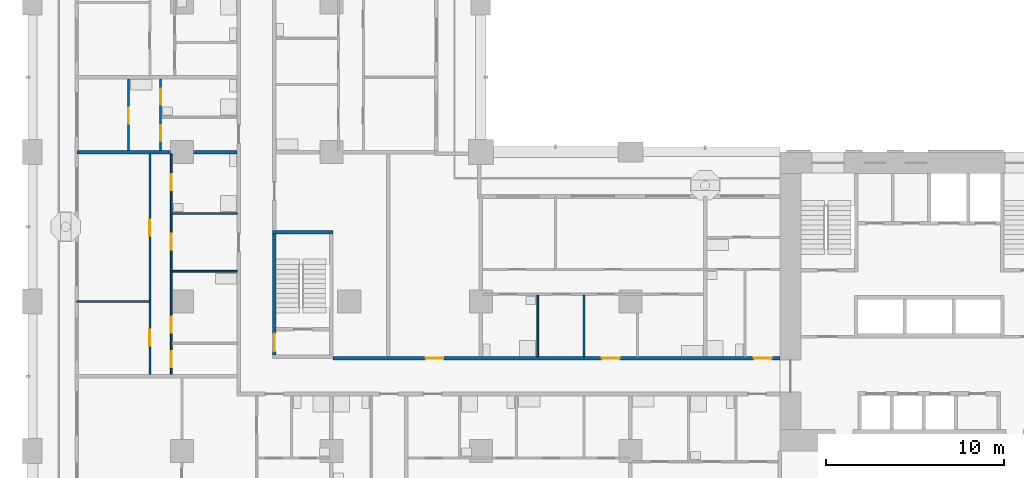
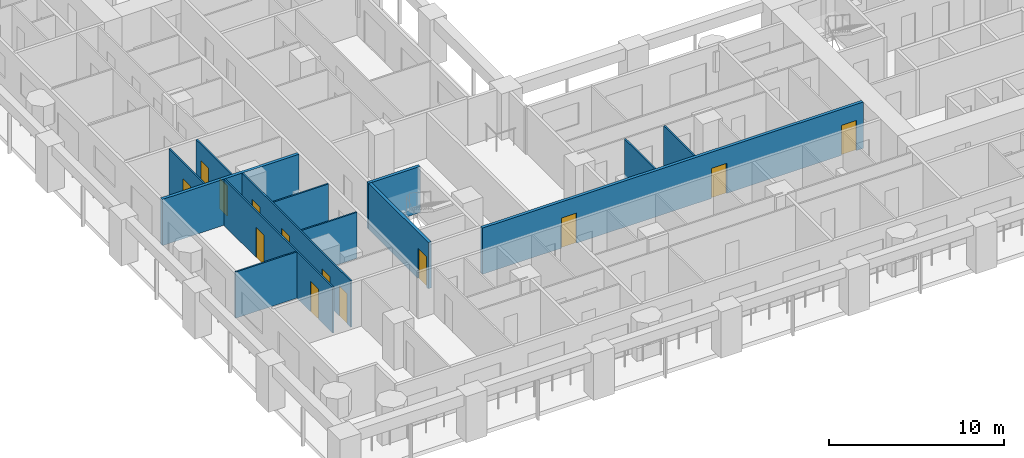
# One storey, part 3 of 21: 13 doors, 13 walls, 13 openings.
"""IFC4 building model written with IfcOpenShell, lengths in metres."""

from ifc_helpers import new_model, si_unit, direction, frame, frame_2d, origin, place, context, subcontext, project, spatial, rectangle, extrude, material, layer, layer_set, type_object, element, fill, save


model = new_model("IFC4")

# Units and contexts
model_context = context("Model", 3, precision=1e-05, world=origin(), true_north=direction((0.0, 1.0)))
body_context = subcontext(model_context, "Body", "Model", "MODEL_VIEW")
ifc_project = project(units=[si_unit("LENGTHUNIT", "METRE"), si_unit("AREAUNIT", "SQUARE_METRE"), si_unit("VOLUMEUNIT", "CUBIC_METRE"), si_unit("PLANEANGLEUNIT", "RADIAN"), si_unit("MASSUNIT", "GRAM", prefix="KILO")], contexts=[model_context])

# Site, building, storey
site_placement = place(None, origin())
site = spatial("IfcSite", under=ifc_project, at=site_placement, CompositionType="ELEMENT")
building_placement = place(site_placement, origin())
building = spatial("IfcBuilding", under=site, at=building_placement, Name="Vermilion Gate Residences", CompositionType="ELEMENT")
storey_placement = place(building_placement, frame((0.0, 0.0, 67.199951171875)))
storey = spatial("IfcBuildingStorey", under=building, at=storey_placement, Name="L16", CompositionType="ELEMENT", Elevation=67.199951171875)

# Walls
ifc_material_1 = material(Name="Plasterboard on steel studs", Category="steel")
ifc_layer_1 = layer(ifc_material_1, 0.10009765625)
ifc_layer_set_1 = layer_set([ifc_layer_1], Name="PARTITION 100")
wall_type_1 = type_object("IfcWallType", Name="PARTITION 100", PredefinedType="PARTITIONING", material=ifc_layer_set_1)
wall_1_placement = place(storey_placement, frame((2.5, 16.800048828125, 0.0), z_axis=(0.0, 0.0, 1.0), x_axis=(1.0, 0.0, 0.0)))
element("IfcWall", 1, at=wall_1_placement, inside=storey, type_object=wall_type_1, Name="Partition", PredefinedType="PARTITIONING", context=body_context, shape_type="SweptSolid", body=[
    extrude(rectangle(XDim=4.050048828125, YDim=0.10009765625, at=frame_2d((2.02490234375, 0.0))), origin(), (0.0, 0.0, 1.0), 3.219970703125),
])
for number, where, z_axis, x_axis, name in (
    (2, (7.85009765625, 18.5, 0.0), (0.0, 0.0, 1.0), (1.0, 0.0, 0.0), "Partition"),
    (3, (7.85009765625, 21.75, 0.0), (0.0, 0.0, 1.0), (1.0, 0.0, 0.0), "Partition"),
):
    element("IfcWall", number, at=place(storey_placement, frame(where, z_axis=z_axis, x_axis=x_axis)), inside=storey, type_object=wall_type_1, Name=name, PredefinedType="PARTITIONING", context=body_context, shape_type="SweptSolid", body=[
        extrude(rectangle(XDim=3.64990234375, YDim=0.10009765625, at=frame_2d((1.824951171875, 0.0))), origin(), (0.0, 0.0, 1.0), 3.219970703125),
    ])

# Wall, opening, door
wall_2_placement = place(storey_placement, frame((5.39990234375, 25.300048828125, 0.0), z_axis=(0.0, 0.0, 1.0), x_axis=(0.0, 1.0, 0.0)))
wall_2 = element("IfcWall", 4, at=wall_2_placement, inside=storey, type_object=wall_type_1, Name="Partition", PredefinedType="PARTITIONING", context=body_context, shape_type="SweptSolid", body=[
    extrude(rectangle(XDim=4.0, YDim=0.10009765625, at=frame_2d((2.0, 0.0))), origin(), (0.0, 0.0, 1.0), 3.219970703125),
])
opening_1_placement = place(wall_2_placement, frame((1.5, 0.0, 0.0)))
opening_1 = element("IfcOpeningElement", 5, at=opening_1_placement, cuts=wall_2, Name="Opening DA16045", PredefinedType="OPENING", context=body_context, shape_type="SweptSolid", body=[
    extrude(rectangle(XDim=0.89990234375, YDim=2.10009765625, at=frame_2d((0.449951171875, 1.050048828125))), frame((0.0, 0.06005859375, 0.0), z_axis=(0.0, -1.0, 0.0), x_axis=(1.0, 0.0, 0.0)), (0.0, 0.0, 1.0), 0.1201171875),
])
ifc_material_2 = material(Name="Timber", Category="wood")
door_type_1 = type_object("IfcDoorType", Name="INTERIOR DOOR 900 X 2100", OperationType="SINGLE_SWING_LEFT", PredefinedType="DOOR", material=ifc_material_2)
door_1_placement = place(opening_1_placement, frame((0.89990234375, 0.0, 0.0), z_axis=(0.0, 0.0, 1.0), x_axis=(-1.0, 0.0, 0.0)))
door_1 = element("IfcDoor", 6, at=door_1_placement, inside=storey, type_object=door_type_1, Name="Interior door", OperationType="SINGLE_SWING_LEFT", OverallHeight=2.10009765625, OverallWidth=0.89990234375, PredefinedType="DOOR", context=body_context, shape_type="SweptSolid", body=[
    extrude(rectangle(XDim=0.89990234375, YDim=2.10009765625, at=frame_2d((0.449951171875, 1.050048828125))), frame((0.0, 0.02490234375, 0.0), z_axis=(0.0, -1.0, 0.0), x_axis=(1.0, 0.0, 0.0)), (0.0, 0.0, 1.0), 0.050048828125),
])
fill(opening_1, door_1)

# Wall, openings, doors
wall_3_placement = place(storey_placement, frame((6.60009765625, 12.699951171875, 0.0), z_axis=(0.0, 0.0, 1.0), x_axis=(0.0, 1.0, 0.0)))
wall_3 = element("IfcWall", 7, at=wall_3_placement, inside=storey, type_object=wall_type_1, Name="Partition", PredefinedType="PARTITIONING", context=body_context, shape_type="SweptSolid", body=[
    extrude(rectangle(XDim=12.400146484375, YDim=0.10009765625, at=frame_2d((6.2001953125, 0.0))), origin(), (0.0, 0.0, 1.0), 3.219970703125),
])
opening_2_placement = place(wall_3_placement, frame((1.60009765625, 0.0, 0.0)))
opening_2 = element("IfcOpeningElement", 8, at=opening_2_placement, cuts=wall_3, Name="Opening DA16048", PredefinedType="OPENING", context=body_context, shape_type="SweptSolid", body=[
    extrude(rectangle(XDim=0.89990234375, YDim=2.10009765625, at=frame_2d((0.449951171875, 1.050048828125))), frame((0.0, 0.06005859375, 0.0), z_axis=(0.0, -1.0, 0.0), x_axis=(1.0, 0.0, 0.0)), (0.0, 0.0, 1.0), 0.1201171875),
])
opening_3_placement = place(wall_3_placement, frame((7.800048828125, 0.0, 0.0)))
opening_3 = element("IfcOpeningElement", 9, at=opening_3_placement, cuts=wall_3, Name="Opening DA16049", PredefinedType="OPENING", context=body_context, shape_type="SweptSolid", body=[
    extrude(rectangle(XDim=0.89990234375, YDim=2.10009765625, at=frame_2d((0.449951171875, 1.050048828125))), frame((0.0, 0.06005859375, 0.0), z_axis=(0.0, -1.0, 0.0), x_axis=(1.0, 0.0, 0.0)), (0.0, 0.0, 1.0), 0.1201171875),
])
door_2_placement = place(opening_2_placement, origin())
door_2 = element("IfcDoor", 10, at=door_2_placement, inside=storey, type_object=door_type_1, Name="Interior door", OperationType="SINGLE_SWING_RIGHT", OverallHeight=2.10009765625, OverallWidth=0.89990234375, PredefinedType="DOOR", context=body_context, shape_type="SweptSolid", body=[
    extrude(rectangle(XDim=0.89990234375, YDim=2.10009765625, at=frame_2d((0.449951171875, 1.050048828125))), frame((0.0, 0.02490234375, 0.0), z_axis=(0.0, -1.0, 0.0), x_axis=(1.0, 0.0, 0.0)), (0.0, 0.0, 1.0), 0.050048828125),
])
fill(opening_2, door_2)
door_3_placement = place(opening_3_placement, origin())
door_3 = element("IfcDoor", 11, at=door_3_placement, inside=storey, type_object=door_type_1, Name="Interior door", OperationType="SINGLE_SWING_LEFT", OverallHeight=2.10009765625, OverallWidth=0.89990234375, PredefinedType="DOOR", context=body_context, shape_type="SweptSolid", body=[
    extrude(rectangle(XDim=0.89990234375, YDim=2.10009765625, at=frame_2d((0.449951171875, 1.050048828125))), frame((0.0, 0.02490234375, 0.0), z_axis=(0.0, -1.0, 0.0), x_axis=(1.0, 0.0, 0.0)), (0.0, 0.0, 1.0), 0.050048828125),
])
fill(opening_3, door_3)

wall_4_placement = place(storey_placement, frame((7.199951171875, 25.300048828125, 0.0), z_axis=(0.0, 0.0, 1.0), x_axis=(0.0, 1.0, 0.0)))
wall_4 = element("IfcWall", 12, at=wall_4_placement, inside=storey, type_object=wall_type_1, Name="Partition", PredefinedType="PARTITIONING", context=body_context, shape_type="SweptSolid", body=[
    extrude(rectangle(XDim=4.0, YDim=0.10009765625, at=frame_2d((2.0, 0.0))), origin(), (0.0, 0.0, 1.0), 3.219970703125),
])
opening_4_placement = place(wall_4_placement, frame((0.5, 0.0, 0.0)))
opening_4 = element("IfcOpeningElement", 13, at=opening_4_placement, cuts=wall_4, Name="Opening DA16053", PredefinedType="OPENING", context=body_context, shape_type="SweptSolid", body=[
    extrude(rectangle(XDim=0.89990234375, YDim=2.10009765625, at=frame_2d((0.449951171875, 1.050048828125))), frame((0.0, 0.06005859375, 0.0), z_axis=(0.0, -1.0, 0.0), x_axis=(1.0, 0.0, 0.0)), (0.0, 0.0, 1.0), 0.1201171875),
])
opening_5_placement = place(wall_4_placement, frame((2.56005859375, 0.0, 0.0)))
opening_5 = element("IfcOpeningElement", 14, at=opening_5_placement, cuts=wall_4, Name="Opening DA16054", PredefinedType="OPENING", context=body_context, shape_type="SweptSolid", body=[
    extrude(rectangle(XDim=0.89990234375, YDim=2.10009765625, at=frame_2d((0.449951171875, 1.050048828125))), frame((0.0, 0.06005859375, 0.0), z_axis=(0.0, -1.0, 0.0), x_axis=(1.0, 0.0, 0.0)), (0.0, 0.0, 1.0), 0.1201171875),
])
door_4_placement = place(opening_4_placement, origin())
door_4 = element("IfcDoor", 15, at=door_4_placement, inside=storey, type_object=door_type_1, Name="Interior door", OperationType="SINGLE_SWING_LEFT", OverallHeight=2.10009765625, OverallWidth=0.89990234375, PredefinedType="DOOR", context=body_context, shape_type="SweptSolid", body=[
    extrude(rectangle(XDim=0.89990234375, YDim=2.10009765625, at=frame_2d((0.449951171875, 1.050048828125))), frame((0.0, 0.02490234375, 0.0), z_axis=(0.0, -1.0, 0.0), x_axis=(1.0, 0.0, 0.0)), (0.0, 0.0, 1.0), 0.050048828125),
])
fill(opening_4, door_4)
door_5_placement = place(opening_5_placement, origin())
door_5 = element("IfcDoor", 16, at=door_5_placement, inside=storey, type_object=door_type_1, Name="Interior door", OperationType="SINGLE_SWING_LEFT", OverallHeight=2.10009765625, OverallWidth=0.89990234375, PredefinedType="DOOR", context=body_context, shape_type="SweptSolid", body=[
    extrude(rectangle(XDim=0.89990234375, YDim=2.10009765625, at=frame_2d((0.449951171875, 1.050048828125))), frame((0.0, 0.02490234375, 0.0), z_axis=(0.0, -1.0, 0.0), x_axis=(1.0, 0.0, 0.0)), (0.0, 0.0, 1.0), 0.050048828125),
])
fill(opening_5, door_5)

wall_5_placement = place(storey_placement, frame((7.800048828125, 12.699951171875, 0.0), z_axis=(0.0, 0.0, 1.0), x_axis=(0.0, 1.0, 0.0)))
wall_5 = element("IfcWall", 17, at=wall_5_placement, inside=storey, type_object=wall_type_1, Name="Partition", PredefinedType="PARTITIONING", context=body_context, shape_type="SweptSolid", body=[
    extrude(rectangle(XDim=12.400146484375, YDim=0.10009765625, at=frame_2d((6.2001953125, 0.0))), origin(), (0.0, 0.0, 1.0), 3.219970703125),
])
opening_6_placement = place(wall_5_placement, frame((7.0, 0.0, 0.0)))
opening_6 = element("IfcOpeningElement", 18, at=opening_6_placement, cuts=wall_5, Name="Opening DA16055", PredefinedType="OPENING", context=body_context, shape_type="SweptSolid", body=[
    extrude(rectangle(XDim=0.89990234375, YDim=2.10009765625, at=frame_2d((0.449951171875, 1.050048828125))), frame((0.0, 0.06005859375, 0.0), z_axis=(0.0, -1.0, 0.0), x_axis=(1.0, 0.0, 0.0)), (0.0, 0.0, 1.0), 0.1201171875),
])
opening_7_placement = place(wall_5_placement, frame((0.39990234375, 0.0, 0.0)))
opening_7 = element("IfcOpeningElement", 19, at=opening_7_placement, cuts=wall_5, Name="Opening DA16056", PredefinedType="OPENING", context=body_context, shape_type="SweptSolid", body=[
    extrude(rectangle(XDim=0.89990234375, YDim=2.10009765625, at=frame_2d((0.449951171875, 1.050048828125))), frame((0.0, 0.06005859375, 0.0), z_axis=(0.0, -1.0, 0.0), x_axis=(1.0, 0.0, 0.0)), (0.0, 0.0, 1.0), 0.1201171875),
])
opening_8_placement = place(wall_5_placement, frame((2.35009765625, 0.0, 0.0)))
opening_8 = element("IfcOpeningElement", 20, at=opening_8_placement, cuts=wall_5, Name="Opening DA16057", PredefinedType="OPENING", context=body_context, shape_type="SweptSolid", body=[
    extrude(rectangle(XDim=0.89990234375, YDim=2.10009765625, at=frame_2d((0.449951171875, 1.050048828125))), frame((0.0, 0.06005859375, 0.0), z_axis=(0.0, -1.0, 0.0), x_axis=(1.0, 0.0, 0.0)), (0.0, 0.0, 1.0), 0.1201171875),
])
opening_9_placement = place(wall_5_placement, frame((10.35009765625, 0.0, 0.0)))
opening_9 = element("IfcOpeningElement", 21, at=opening_9_placement, cuts=wall_5, Name="Opening DA16058", PredefinedType="OPENING", context=body_context, shape_type="SweptSolid", body=[
    extrude(rectangle(XDim=0.89990234375, YDim=2.10009765625, at=frame_2d((0.449951171875, 1.050048828125))), frame((0.0, 0.06005859375, 0.0), z_axis=(0.0, -1.0, 0.0), x_axis=(1.0, 0.0, 0.0)), (0.0, 0.0, 1.0), 0.1201171875),
])
door_6_placement = place(opening_6_placement, frame((0.89990234375, 0.0, 0.0), z_axis=(0.0, 0.0, 1.0), x_axis=(-1.0, 0.0, 0.0)))
door_6 = element("IfcDoor", 22, at=door_6_placement, inside=storey, type_object=door_type_1, Name="Interior door", OperationType="SINGLE_SWING_LEFT", OverallHeight=2.10009765625, OverallWidth=0.89990234375, PredefinedType="DOOR", context=body_context, shape_type="SweptSolid", body=[
    extrude(rectangle(XDim=0.89990234375, YDim=2.10009765625, at=frame_2d((0.449951171875, 1.050048828125))), frame((0.0, 0.02490234375, 0.0), z_axis=(0.0, -1.0, 0.0), x_axis=(1.0, 0.0, 0.0)), (0.0, 0.0, 1.0), 0.050048828125),
])
fill(opening_6, door_6)
door_7_placement = place(opening_7_placement, frame((0.89990234375, 0.0, 0.0), z_axis=(0.0, 0.0, 1.0), x_axis=(-1.0, 0.0, 0.0)))
door_7 = element("IfcDoor", 23, at=door_7_placement, inside=storey, type_object=door_type_1, Name="Interior door", OperationType="SINGLE_SWING_LEFT", OverallHeight=2.10009765625, OverallWidth=0.89990234375, PredefinedType="DOOR", context=body_context, shape_type="SweptSolid", body=[
    extrude(rectangle(XDim=0.89990234375, YDim=2.10009765625, at=frame_2d((0.449951171875, 1.050048828125))), frame((0.0, 0.02490234375, 0.0), z_axis=(0.0, -1.0, 0.0), x_axis=(1.0, 0.0, 0.0)), (0.0, 0.0, 1.0), 0.050048828125),
])
fill(opening_7, door_7)
door_8_placement = place(opening_8_placement, frame((0.89990234375, 0.0, 0.0), z_axis=(0.0, 0.0, 1.0), x_axis=(-1.0, 0.0, 0.0)))
door_8 = element("IfcDoor", 24, at=door_8_placement, inside=storey, type_object=door_type_1, Name="Interior door", OperationType="SINGLE_SWING_LEFT", OverallHeight=2.10009765625, OverallWidth=0.89990234375, PredefinedType="DOOR", context=body_context, shape_type="SweptSolid", body=[
    extrude(rectangle(XDim=0.89990234375, YDim=2.10009765625, at=frame_2d((0.449951171875, 1.050048828125))), frame((0.0, 0.02490234375, 0.0), z_axis=(0.0, -1.0, 0.0), x_axis=(1.0, 0.0, 0.0)), (0.0, 0.0, 1.0), 0.050048828125),
])
fill(opening_8, door_8)
door_9_placement = place(opening_9_placement, frame((0.89990234375, 0.0, 0.0), z_axis=(0.0, 0.0, 1.0), x_axis=(-1.0, 0.0, 0.0)))
door_9 = element("IfcDoor", 25, at=door_9_placement, inside=storey, type_object=door_type_1, Name="Interior door", OperationType="SINGLE_SWING_LEFT", OverallHeight=2.10009765625, OverallWidth=0.89990234375, PredefinedType="DOOR", context=body_context, shape_type="SweptSolid", body=[
    extrude(rectangle(XDim=0.89990234375, YDim=2.10009765625, at=frame_2d((0.449951171875, 1.050048828125))), frame((0.0, 0.02490234375, 0.0), z_axis=(0.0, -1.0, 0.0), x_axis=(1.0, 0.0, 0.0)), (0.0, 0.0, 1.0), 0.050048828125),
])
fill(opening_9, door_9)

# Walls
for number, where, z_axis, x_axis, name in (
    (26, (28.39990234375, 13.699951171875, 0.0), (0.0, 0.0, 1.0), (0.0, 1.0, 0.0), "Partition"),
    (27, (31.0, 13.699951171875, 0.0), (0.0, 0.0, 1.0), (0.0, 1.0, 0.0), "Partition"),
):
    element("IfcWall", number, at=place(storey_placement, frame(where, z_axis=z_axis, x_axis=x_axis)), inside=storey, type_object=wall_type_1, Name=name, PredefinedType="PARTITIONING", context=body_context, shape_type="SweptSolid", body=[
        extrude(rectangle(XDim=3.449951171875, YDim=0.10009765625, at=frame_2d((1.72509765625, 0.0))), origin(), (0.0, 0.0, 1.0), 3.219970703125),
    ])

# Wall, openings, doors
ifc_material_3 = material(Name="Fire-rated plasterboard on steel studs", Category="steel")
ifc_layer_2 = layer(ifc_material_3, 0.199951171875)
ifc_layer_set_2 = layer_set([ifc_layer_2], Name="PARTY WALL 200 EI 120")
wall_type_2 = type_object("IfcWallType", Name="PARTY WALL 200 EI 120", PredefinedType="PARTITIONING", material=ifc_layer_set_2)
wall_6_placement = place(storey_placement, frame((16.89990234375, 13.60009765625, 0.0), z_axis=(0.0, 0.0, 1.0), x_axis=(1.0, 0.0, 0.0)))
wall_6 = element("IfcWall", 28, at=wall_6_placement, inside=storey, type_object=wall_type_2, Name="Party and corridor wall", PredefinedType="PARTITIONING", context=body_context, shape_type="SweptSolid", body=[
    extrude(rectangle(XDim=25.10009765625, YDim=0.199951171875, at=frame_2d((12.550048828125, 0.0))), origin(), (0.0, 0.0, 1.0), 3.219970703125),
])
opening_10_placement = place(wall_6_placement, frame((15.10009765625, 0.0, 0.0)))
opening_10 = element("IfcOpeningElement", 29, at=opening_10_placement, cuts=wall_6, Name="Opening DA16030", PredefinedType="OPENING", context=body_context, shape_type="SweptSolid", body=[
    extrude(rectangle(XDim=1.0, YDim=2.10009765625, at=frame_2d((0.5, 1.050048828125))), frame((0.0, 0.10986328125, 0.0), z_axis=(0.0, -1.0, 0.0), x_axis=(1.0, 0.0, 0.0)), (0.0, 0.0, 1.0), 0.219970703125),
])
opening_11_placement = place(wall_6_placement, frame((23.639892578125, 0.0, 0.0)))
opening_11 = element("IfcOpeningElement", 30, at=opening_11_placement, cuts=wall_6, Name="Opening DA16031", PredefinedType="OPENING", context=body_context, shape_type="SweptSolid", body=[
    extrude(rectangle(XDim=1.0, YDim=2.10009765625, at=frame_2d((0.5, 1.050048828125))), frame((0.0, 0.10986328125, 0.0), z_axis=(0.0, -1.0, 0.0), x_axis=(1.0, 0.0, 0.0)), (0.0, 0.0, 1.0), 0.219970703125),
])
opening_12_placement = place(wall_6_placement, frame((5.199951171875, 0.0, 0.0)))
opening_12 = element("IfcOpeningElement", 31, at=opening_12_placement, cuts=wall_6, Name="Opening DA16032", PredefinedType="OPENING", context=body_context, shape_type="SweptSolid", body=[
    extrude(rectangle(XDim=1.0, YDim=2.10009765625, at=frame_2d((0.5, 1.050048828125))), frame((0.0, 0.10986328125, 0.0), z_axis=(0.0, -1.0, 0.0), x_axis=(1.0, 0.0, 0.0)), (0.0, 0.0, 1.0), 0.219970703125),
])
ifc_material_4 = material(Name="Steel", Category="steel")
door_type_2 = type_object("IfcDoorType", Name="ENTRANCE DOOR 1000 X 2100 FD30", OperationType="SINGLE_SWING_LEFT", PredefinedType="DOOR", material=ifc_material_4)
door_10_placement = place(opening_10_placement, origin())
door_10 = element("IfcDoor", 32, at=door_10_placement, inside=storey, type_object=door_type_2, Name="Entrance door", OperationType="SINGLE_SWING_LEFT", OverallHeight=2.10009765625, OverallWidth=1.0, PredefinedType="DOOR", context=body_context, shape_type="SweptSolid", body=[
    extrude(rectangle(XDim=1.0, YDim=2.10009765625, at=frame_2d((0.5, 1.050048828125))), frame((0.0, 0.02490234375, 0.0), z_axis=(0.0, -1.0, 0.0), x_axis=(1.0, 0.0, 0.0)), (0.0, 0.0, 1.0), 0.050048828125),
])
fill(opening_10, door_10)
door_11_placement = place(opening_11_placement, origin())
door_11 = element("IfcDoor", 33, at=door_11_placement, inside=storey, type_object=door_type_2, Name="Entrance door", OperationType="SINGLE_SWING_LEFT", OverallHeight=2.10009765625, OverallWidth=1.0, PredefinedType="DOOR", context=body_context, shape_type="SweptSolid", body=[
    extrude(rectangle(XDim=1.0, YDim=2.10009765625, at=frame_2d((0.5, 1.050048828125))), frame((0.0, 0.02490234375, 0.0), z_axis=(0.0, -1.0, 0.0), x_axis=(1.0, 0.0, 0.0)), (0.0, 0.0, 1.0), 0.050048828125),
])
fill(opening_11, door_11)
door_12_placement = place(opening_12_placement, origin())
door_12 = element("IfcDoor", 34, at=door_12_placement, inside=storey, type_object=door_type_2, Name="Entrance door", OperationType="SINGLE_SWING_LEFT", OverallHeight=2.10009765625, OverallWidth=1.0, PredefinedType="DOOR", context=body_context, shape_type="SweptSolid", body=[
    extrude(rectangle(XDim=1.0, YDim=2.10009765625, at=frame_2d((0.5, 1.050048828125))), frame((0.0, 0.02490234375, 0.0), z_axis=(0.0, -1.0, 0.0), x_axis=(1.0, 0.0, 0.0)), (0.0, 0.0, 1.0), 0.050048828125),
])
fill(opening_12, door_12)

# Wall
wall_7_placement = place(storey_placement, frame((2.5, 25.199951171875, 0.0), z_axis=(0.0, 0.0, 1.0), x_axis=(1.0, 0.0, 0.0)))
element("IfcWall", 35, at=wall_7_placement, inside=storey, type_object=wall_type_2, Name="Party and corridor wall", PredefinedType="PARTITIONING", context=body_context, shape_type="SweptSolid", body=[
    extrude(rectangle(XDim=9.0, YDim=0.199951171875, at=frame_2d((4.5, 0.0))), origin(), (0.0, 0.0, 1.0), 3.219970703125),
])

# Wall, opening, door
ifc_material_5 = material(Name="Concrete C60", Category="concrete")
ifc_layer_3 = layer(ifc_material_5, 0.199951171875)
ifc_layer_set_3 = layer_set([ifc_layer_3], Name="RC CORE INTERNAL WALL 200 C60")
wall_type_3 = type_object("IfcWallType", Name="RC CORE INTERNAL WALL 200 C60", PredefinedType="SHEAR", material=ifc_layer_set_3)
wall_8_placement = place(storey_placement, frame((13.60009765625, 13.800048828125, 0.0), z_axis=(0.0, 0.0, 1.0), x_axis=(0.0, 1.0, 0.0)))
wall_8 = element("IfcWall", 36, at=wall_8_placement, inside=storey, type_object=wall_type_3, Name="Core internal wall C16-W", PredefinedType="SHEAR", context=body_context, shape_type="SweptSolid", body=[
    extrude(rectangle(XDim=6.800048828125, YDim=0.199951171875, at=frame_2d((3.39990234375, 0.0))), origin(), (0.0, 0.0, 1.0), 3.219970703125),
])
opening_13_placement = place(wall_8_placement, frame((0.199951171875, 0.0, 0.0)))
opening_13 = element("IfcOpeningElement", 37, at=opening_13_placement, cuts=wall_8, Name="Opening DK16201", PredefinedType="OPENING", context=body_context, shape_type="SweptSolid", body=[
    extrude(rectangle(XDim=1.0, YDim=2.10009765625, at=frame_2d((0.5, 1.050048828125))), frame((0.0, 0.10986328125, 0.0), z_axis=(0.0, -1.0, 0.0), x_axis=(1.0, 0.0, 0.0)), (0.0, 0.0, 1.0), 0.219970703125),
])
ifc_material_6 = material(Name="Steel", Category="steel")
door_type_3 = type_object("IfcDoorType", Name="FIRE DOOR FD60 1000 X 2100", OperationType="SINGLE_SWING_LEFT", PredefinedType="DOOR", material=ifc_material_6)
door_13_placement = place(opening_13_placement, frame((1.0, 0.0, 0.0), z_axis=(0.0, 0.0, 1.0), x_axis=(-1.0, 0.0, 0.0)))
door_13 = element("IfcDoor", 38, at=door_13_placement, inside=storey, type_object=door_type_3, Name="Stair vestibule door C16", OperationType="SINGLE_SWING_LEFT", OverallHeight=2.10009765625, OverallWidth=1.0, PredefinedType="DOOR", context=body_context, shape_type="SweptSolid", body=[
    extrude(rectangle(XDim=1.0, YDim=2.10009765625, at=frame_2d((0.5, 1.050048828125))), frame((0.0, 0.02490234375, 0.0), z_axis=(0.0, -1.0, 0.0), x_axis=(1.0, 0.0, 0.0)), (0.0, 0.0, 1.0), 0.050048828125),
])
fill(opening_13, door_13)

# Wall
wall_9_placement = place(storey_placement, frame((13.5, 20.699951171875, 0.0), z_axis=(0.0, 0.0, 1.0), x_axis=(1.0, 0.0, 0.0)))
element("IfcWall", 39, at=wall_9_placement, inside=storey, type_object=wall_type_3, Name="Core internal wall C16-N", PredefinedType="SHEAR", context=body_context, shape_type="SweptSolid", body=[
    extrude(rectangle(XDim=3.39990234375, YDim=0.199951171875, at=frame_2d((1.699951171875, 0.0))), origin(), (0.0, 0.0, 1.0), 3.219970703125),
])

save(model, "model.ifc")
